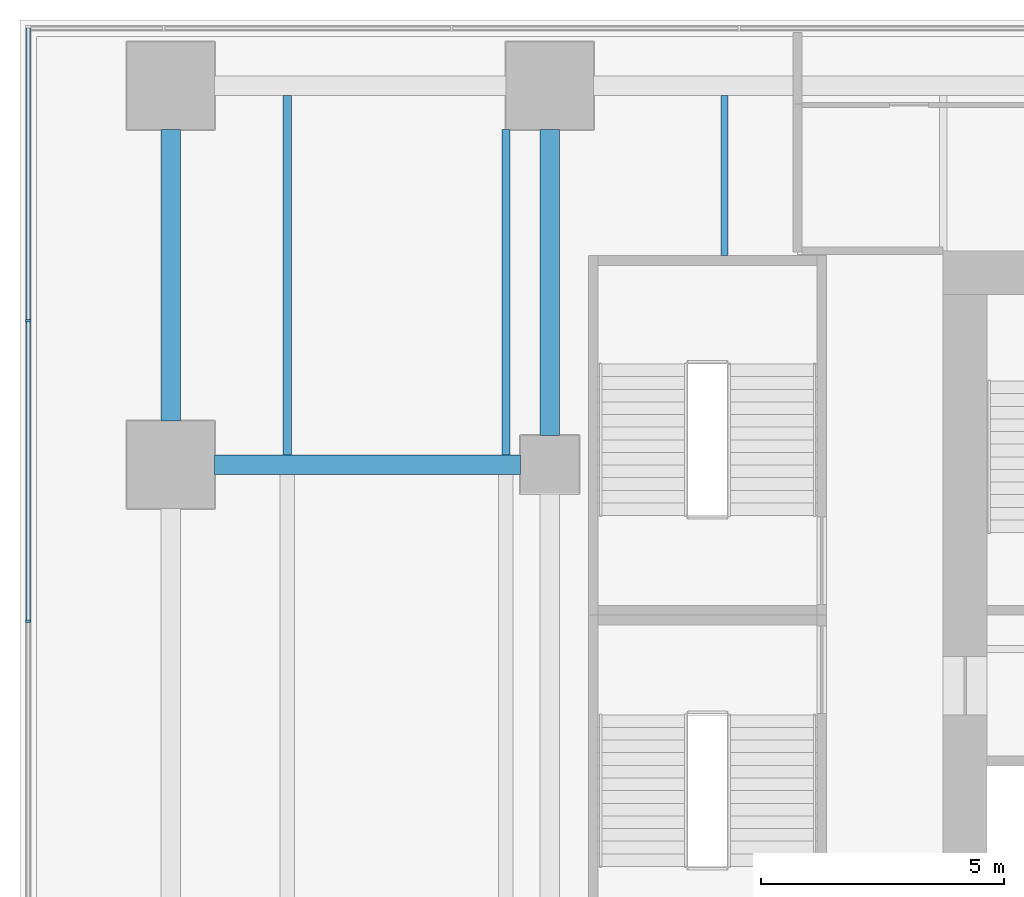
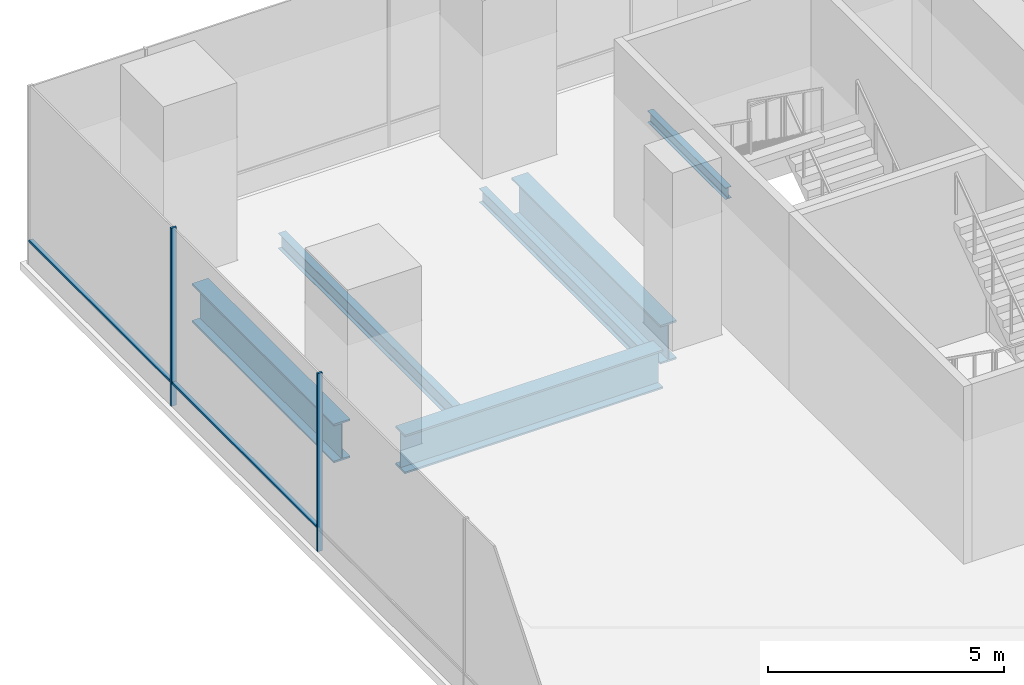
# One storey, part 9 of 28: 6 beams, 4 members, 1 element without a shape of its own.
"""IFC4 building model written with IfcOpenShell, lengths in metres."""

import ifcopenshell
import ifcopenshell.guid

model = None  # the IFC model being written
_history = None  # IfcOwnerHistory: only IFC2X3 demands one
_inside = {}  # id of a spatial element -> (the spatial element, [elements in it])
_under = {}  # id of a project, library or spatial element -> (it, [spatial elements below it])
_declared = {}  # id of a project -> (the project, [libraries it declares])
_typed = {}  # id of a type object -> (the type object, [elements of that type])
_made_of = {}  # id of a material, layer set ... -> (it, [elements and type objects made of it])


def new_model(schema):
    """Start an empty IFC model of exactly this schema.

    Asked for "IFC4X3", IfcOpenShell would pick the latest addendum, in which some entities
    have other attributes; the version numbers below select the first issue.
    IFC2X3 requires an IfcOwnerHistory on every rooted entity: one is made here for all.
    """
    global model, _history
    if schema == "IFC4X3":
        model = ifcopenshell.file(schema_version=(4, 3, 0, 0))
    else:
        model = ifcopenshell.file(schema=schema)
    _inside.clear()
    _under.clear()
    _declared.clear()
    _typed.clear()
    _made_of.clear()
    _history = None
    if model.schema == "IFC2X3":
        org = make("IfcOrganization", Name="unknown")
        user = make(
            "IfcPersonAndOrganization",
            ThePerson=make("IfcPerson", FamilyName="unknown"),
            TheOrganization=org,
        )
        app = make(
            "IfcApplication",
            ApplicationDeveloper=org,
            Version="unknown",
            ApplicationFullName="unknown",
            ApplicationIdentifier="unknown",
        )
        _history = make(
            "IfcOwnerHistory",
            OwningUser=user,
            OwningApplication=app,
            ChangeAction="ADDED",
            CreationDate=0,
        )
    return model


def make(cls, **values):
    """One entity of the class cls with the attributes given. An attribute that is None is left unset."""
    return model.create_entity(
        cls, **{name: value for name, value in values.items() if value is not None}
    )


def rooted(cls, **values):
    """An entity with a GlobalId (a new one), such as an element, a storey or a relation."""
    return make(cls, GlobalId=ifcopenshell.guid.new(), OwnerHistory=_history, **values)


def si_unit(unit_type, name, prefix=None):
    """IfcSIUnit, for example si_unit("LENGTHUNIT", "METRE", prefix="MILLI")."""
    return make("IfcSIUnit", UnitType=unit_type, Prefix=prefix, Name=name)


def assignment(units):
    """IfcUnitAssignment: the units of a project."""
    return None if units is None else make("IfcUnitAssignment", Units=units)


def point(xyz):
    """IfcCartesianPoint."""
    return None if xyz is None else make("IfcCartesianPoint", Coordinates=xyz)


def direction(xyz):
    """IfcDirection."""
    return None if xyz is None else make("IfcDirection", DirectionRatios=xyz)


def frame(location, z_axis=None, x_axis=None):
    """IfcAxis2Placement3D, a coordinate frame: its origin and axes. An axis left out is left unset."""
    return make(
        "IfcAxis2Placement3D",
        Location=point(location),
        Axis=direction(z_axis),
        RefDirection=direction(x_axis),
    )


def frame_2d(location, x_axis=None):
    """IfcAxis2Placement2D, a coordinate frame in the plane: its origin and x axis."""
    return make(
        "IfcAxis2Placement2D", Location=point(location), RefDirection=direction(x_axis)
    )


def origin():
    """The frame at (0, 0, 0) with its axes left unset."""
    return frame((0.0, 0.0, 0.0))


def origin_2d():
    """The frame at (0, 0) in the plane with its x axis left unset."""
    return frame_2d((0.0, 0.0))


def place(relative_to, where):
    """IfcLocalPlacement: puts the frame where relative to a parent placement (None: the world)."""
    return make(
        "IfcLocalPlacement", PlacementRelTo=relative_to, RelativePlacement=where
    )


def context(
    kind, dimensions, precision=None, world=None, true_north=None, identifier=None
):
    """IfcGeometricRepresentationContext, for example the 3D "Model" context."""
    return make(
        "IfcGeometricRepresentationContext",
        ContextIdentifier=identifier,
        ContextType=kind,
        CoordinateSpaceDimension=dimensions,
        Precision=precision,
        WorldCoordinateSystem=world,
        TrueNorth=true_north,
    )


def subcontext(parent, identifier, kind, view, scale=None):
    """IfcGeometricRepresentationSubContext, for example "Body" below "Model"."""
    return make(
        "IfcGeometricRepresentationSubContext",
        ContextIdentifier=identifier,
        ContextType=kind,
        ParentContext=parent,
        TargetScale=scale,
        TargetView=view,
    )


def project(units=None, contexts=None):
    """IfcProject with its units and contexts."""
    return rooted(
        "IfcProject",
        Name="project",
        RepresentationContexts=contexts,
        UnitsInContext=assignment(units),
    )


def spatial(cls, under=None, at=None, **own):
    """A site, building, storey or space (cls), placed at a placement, below another one or the project."""
    s = rooted(cls, ObjectPlacement=at, **own)
    if under is not None:
        _under.setdefault(under.id(), (under, []))[1].append(s)
    return s


def profile(cls, at=None, kind="AREA", **sizes):
    """A parametric profile (cls). Its sizes go by their IFC names, for example OverallWidth=200.0."""
    return make(cls, ProfileType=kind, Position=at, **sizes)


def rectangle(**sizes):
    """IfcRectangleProfileDef."""
    return profile("IfcRectangleProfileDef", **sizes)


def i_section(**sizes):
    """IfcIShapeProfileDef."""
    return profile("IfcIShapeProfileDef", **sizes)


def extrude(swept, where, along, depth):
    """IfcExtrudedAreaSolid: the profile swept, set in the frame where, extruded along a direction by depth."""
    return make(
        "IfcExtrudedAreaSolid",
        SweptArea=swept,
        Position=where,
        ExtrudedDirection=direction(along),
        Depth=depth,
    )


def shape(context_of_items, identifier, shape_type, items):
    """IfcShapeRepresentation: the items that make up one representation, for example the "Body"."""
    return make(
        "IfcShapeRepresentation",
        ContextOfItems=context_of_items,
        RepresentationIdentifier=identifier,
        RepresentationType=shape_type,
        Items=items,
    )


def material(Name=None, Category=None):
    """IfcMaterial."""
    return make("IfcMaterial", Name=Name, Category=Category)


def layer(
    of_material, thickness, ventilated=None, Name=None, Category=None, Priority=None
):
    """IfcMaterialLayer: one layer of a wall or slab, of a material (None: an air gap)."""
    return make(
        "IfcMaterialLayer",
        Material=of_material,
        LayerThickness=thickness,
        IsVentilated=ventilated,
        Name=Name,
        Category=Category,
        Priority=Priority,
    )


def layer_set(layers, Name=None):
    """IfcMaterialLayerSet."""
    return make("IfcMaterialLayerSet", MaterialLayers=layers, LayerSetName=Name)


def material_profile(
    of_material, cross_section, Name=None, Category=None, Priority=None
):
    """IfcMaterialProfile: a cross section and its material."""
    return make(
        "IfcMaterialProfile",
        Name=Name,
        Material=of_material,
        Profile=cross_section,
        Priority=Priority,
        Category=Category,
    )


def profile_set(profiles, Name=None, composite=None):
    """IfcMaterialProfileSet."""
    return make(
        "IfcMaterialProfileSet",
        Name=Name,
        MaterialProfiles=profiles,
        CompositeProfile=composite,
    )


def made_of(thing, what):
    """Note that an element or type object is made of a material, layer set ...; save() writes the relation."""
    if what is not None:
        _made_of.setdefault(what.id(), (what, []))[1].append(thing)
    return thing


def type_object(cls, material=None, **own):
    """A type object (cls), such as IfcWallType, which elements share."""
    return made_of(rooted(cls, **own), material)


def element(
    cls,
    number,
    at=None,
    inside=None,
    cuts=None,
    type_object=None,
    material=None,
    context=None,
    identifier="Body",
    shape_type=None,
    held_by="IfcProductDefinitionShape",
    body=None,
    shapes=None,
    **own,
):
    """One element of the class cls, such as IfcWall. Its Tag is "e" and its number.

    at: its placement. inside: the storey or other place that contains it. cuts: it is an
    opening in that element (IfcRelVoidsElement). A single representation is given by context,
    identifier, shape_type and body (its items); several are given by shapes. held_by: the class
    of the entity that holds the representations. save() writes the other relations.
    """
    e = rooted(cls, Tag="e%d" % number, ObjectPlacement=at, **own)
    if body is not None:
        shapes = [shape(context, identifier, shape_type, body)]
    if shapes is not None:
        e.Representation = make(held_by, Representations=shapes)
    if inside is not None:
        _inside.setdefault(inside.id(), (inside, []))[1].append(e)
    if cuts is not None:
        rooted(
            "IfcRelVoidsElement", RelatingBuildingElement=cuts, RelatedOpeningElement=e
        )
    if type_object is not None:
        _typed.setdefault(type_object.id(), (type_object, []))[1].append(e)
    return made_of(e, material)


def aggregate(whole, parts):
    """IfcRelAggregates: a whole, such as a stair, and the parts it consists of."""
    return rooted("IfcRelAggregates", RelatingObject=whole, RelatedObjects=parts)


def save(model, path):
    """Write the relations noted so far, then the file.

    IfcRelAggregates (storeys below a building ...), IfcRelContainedInSpatialStructure (elements
    in a storey), IfcRelDefinesByType, IfcRelAssociatesMaterial and IfcRelDeclares: one each for
    every whole, place, type object, material and project.
    """
    for whole, parts in _under.values():
        aggregate(whole, parts)
    for where, things in _inside.values():
        rooted(
            "IfcRelContainedInSpatialStructure",
            RelatedElements=things,
            RelatingStructure=where,
        )
    for kind, things in _typed.values():
        rooted("IfcRelDefinesByType", RelatedObjects=things, RelatingType=kind)
    for what, things in _made_of.values():
        rooted("IfcRelAssociatesMaterial", RelatedObjects=things, RelatingMaterial=what)
    for by, libraries in _declared.values():
        rooted("IfcRelDeclares", RelatingContext=by, RelatedDefinitions=libraries)
    model.write(path)


model = new_model("IFC4")

# Units and contexts
model_context = context("Model", 3, precision=1e-05, world=origin(), true_north=direction((0.0, 1.0)))
body_context = subcontext(model_context, "Body", "Model", "MODEL_VIEW")
ifc_project = project(units=[si_unit("LENGTHUNIT", "METRE"), si_unit("AREAUNIT", "SQUARE_METRE"), si_unit("VOLUMEUNIT", "CUBIC_METRE"), si_unit("PLANEANGLEUNIT", "RADIAN"), si_unit("MASSUNIT", "GRAM", prefix="KILO")], contexts=[model_context])

# Site, building, storey
site_placement = place(None, origin())
site = spatial("IfcSite", under=ifc_project, at=site_placement, CompositionType="ELEMENT")
building_placement = place(site_placement, origin())
building = spatial("IfcBuilding", under=site, at=building_placement, Name="Rattan Terrace Tower", CompositionType="ELEMENT")
storey_placement = place(building_placement, frame((0.0, 0.0, 22.199951171875)))
storey = spatial("IfcBuildingStorey", under=building, at=storey_placement, Name="L04", CompositionType="ELEMENT", Elevation=22.199951171875)

# Beams
ifc_material_1 = material(Name="Steel S355", Category="steel")
ifc_material_profile_1 = material_profile(ifc_material_1, i_section(OverallWidth=0.14990234375, OverallDepth=0.300048828125, WebThickness=0.007080078125, FlangeThickness=0.0107421875, FilletRadius=0.014892578125, at=origin_2d()), Name="IPE 300")
ifc_profile_set_1 = profile_set([ifc_material_profile_1], Name="Steel S355")
beam_type_1 = type_object("IfcBeamType", Name="Frame floor beam IPE 300", PredefinedType="JOIST", material=ifc_profile_set_1)
beam_1_placement = place(storey_placement, frame((-22.5, 7.39990234375, -0.349853515625), z_axis=(0.0, 1.0, 0.0), x_axis=(-1.0, 0.0, 0.0)))
element("IfcBeam", 1, at=beam_1_placement, inside=storey, type_object=beam_type_1, Name="bm-L04-043", PredefinedType="JOIST", context=body_context, shape_type="SweptSolid", body=[
    extrude(i_section(OverallWidth=0.14990234375, OverallDepth=0.300048828125, WebThickness=0.007080078125, FlangeThickness=0.0107421875, FilletRadius=0.014892578125, at=origin_2d()), origin(), (0.0, 0.0, 1.0), 3.300048828125),
])
ifc_material_2 = material(Name="Steel S355", Category="steel")
ifc_material_profile_2 = material_profile(ifc_material_2, i_section(OverallWidth=0.169921875, OverallDepth=0.360107421875, WebThickness=0.008056640625, FlangeThickness=0.0126953125, FilletRadius=0.01806640625, at=origin_2d()), Name="IPE 360")
ifc_profile_set_2 = profile_set([ifc_material_profile_2], Name="Steel S355")
beam_type_2 = type_object("IfcBeamType", Name="Frame floor beam IPE 360", PredefinedType="JOIST", material=ifc_profile_set_2)
beam_2_placement = place(storey_placement, frame((-27.0, 3.300048828125, -0.3798828125), z_axis=(0.0, 1.0, 0.0), x_axis=(-1.0, 0.0, 0.0)))
element("IfcBeam", 2, at=beam_2_placement, inside=storey, type_object=beam_type_2, Name="bm-L04-040", PredefinedType="JOIST", context=body_context, shape_type="SweptSolid", body=[
    extrude(i_section(OverallWidth=0.169921875, OverallDepth=0.360107421875, WebThickness=0.008056640625, FlangeThickness=0.0126953125, FilletRadius=0.01806640625, at=origin_2d()), origin(), (0.0, 0.0, 1.0), 6.699951171875),
])
ifc_material_3 = material(Name="Steel S355", Category="steel")
ifc_material_profile_3 = material_profile(ifc_material_3, i_section(OverallWidth=0.179931640625, OverallDepth=0.39990234375, WebThickness=0.008544921875, FlangeThickness=0.013427734375, FilletRadius=0.02099609375, at=origin_2d()), Name="IPE 400")
ifc_profile_set_3 = profile_set([ifc_material_profile_3], Name="Steel S355")
beam_type_3 = type_object("IfcBeamType", Name="Frame floor beam IPE 400", PredefinedType="JOIST", material=ifc_profile_set_3)
beam_3_placement = place(storey_placement, frame((-31.5, 3.300048828125, -0.39990234375), z_axis=(0.0, 1.0, 0.0), x_axis=(-1.0, 0.0, 0.0)))
element("IfcBeam", 3, at=beam_3_placement, inside=storey, type_object=beam_type_3, Name="bm-L04-039", PredefinedType="JOIST", context=body_context, shape_type="SweptSolid", body=[
    extrude(i_section(OverallWidth=0.179931640625, OverallDepth=0.39990234375, WebThickness=0.008544921875, FlangeThickness=0.013427734375, FilletRadius=0.02099609375, at=origin_2d()), origin(), (0.0, 0.0, 1.0), 7.39990234375),
])
ifc_material_4 = material(Name="Steel S460", Category="steel")
ifc_material_profile_4 = material_profile(ifc_material_4, i_section(OverallWidth=0.39990234375, OverallDepth=1.0, WebThickness=0.01806640625, FlangeThickness=0.044921875, at=origin_2d()), Name="PG 1000x400-18-45")
ifc_profile_set_4 = profile_set([ifc_material_profile_4], Name="Steel S460")
beam_type_4 = type_object("IfcBeamType", Name="Frame podium girder PG 1000x400-18-45", PredefinedType="USERDEFINED", material=ifc_profile_set_4)
for number, where, z_axis, x_axis, name in (
    (4, (-33.0, 3.10009765625, -0.699951171875), (1.0, 0.0, 0.0), (0.0, 1.0, 0.0), "gdr-L04-040"),
    (5, (-26.10009765625, 3.699951171875, -0.699951171875), (0.0, 1.0, 0.0), (-1.0, 0.0, 0.0), "gdr-L04-042"),
):
    element("IfcBeam", number, at=place(storey_placement, frame(where, z_axis=z_axis, x_axis=x_axis)), inside=storey, type_object=beam_type_4, Name=name, ObjectType="PODIUM GIRDER", PredefinedType="USERDEFINED", context=body_context, shape_type="SweptSolid", body=[
        extrude(i_section(OverallWidth=0.39990234375, OverallDepth=1.0, WebThickness=0.01806640625, FlangeThickness=0.044921875, at=origin_2d()), origin(), (0.0, 0.0, 1.0), 6.300048828125),
    ])
beam_4_placement = place(storey_placement, frame((-33.89990234375, 4.0, -0.699951171875), z_axis=(0.0, 1.0, 0.0), x_axis=(-1.0, 0.0, 0.0)))
element("IfcBeam", 6, at=beam_4_placement, inside=storey, type_object=beam_type_4, Name="gdr-L04-044", ObjectType="PODIUM GIRDER", PredefinedType="USERDEFINED", context=body_context, shape_type="SweptSolid", body=[
    extrude(i_section(OverallWidth=0.39990234375, OverallDepth=1.0, WebThickness=0.01806640625, FlangeThickness=0.044921875, at=origin_2d()), origin(), (0.0, 0.0, 1.0), 6.0),
])

# Curtain wall, members
ifc_material_5 = material(Name="Aluminium and glass", Category="aluminium")
ifc_layer = layer(ifc_material_5, 0.1201171875)
ifc_layer_set = layer_set([ifc_layer], Name="Station Storefront Curtain Wall")
curtain_wall_type = type_object("IfcCurtainWallType", Name="Station Storefront Curtain Wall", PredefinedType="NOTDEFINED", material=ifc_layer_set)
curtain_wall_placement = place(storey_placement, origin())
curtain_wall = element("IfcCurtainWall", 7, at=curtain_wall_placement, inside=storey, type_object=curtain_wall_type, Name="Storefront curtain wall L04-3", PredefinedType="NOTDEFINED")
ifc_material_6 = material(Name="Aluminium", Category="aluminium")
ifc_material_profile_5 = material_profile(ifc_material_6, rectangle(XDim=0.050048828125, YDim=0.1201171875, at=origin_2d()), Name="Aluminium 50x120")
ifc_profile_set_5 = profile_set([ifc_material_profile_5], Name="Aluminium")
member_type_1 = type_object("IfcMemberType", Name="Storefront CW Mullion 50x120", PredefinedType="MULLION", material=ifc_profile_set_5)
member_1_placement = place(storey_placement, frame((-36.830078125, 6.06201171875, 0.0), z_axis=(0.0, 0.0, 1.0), x_axis=(0.0, -1.0, 0.0)))
member_1 = element("IfcMember", 8, at=member_1_placement, type_object=member_type_1, Name="Mullion cwl-L04-003.2", PredefinedType="MULLION", context=body_context, shape_type="SweptSolid", body=[
    extrude(rectangle(XDim=0.050048828125, YDim=0.1201171875, at=origin_2d()), origin(), (0.0, 0.0, 1.0), 4.60009765625),
])
member_2_placement = place(storey_placement, frame((-36.830078125, -0.1259765625, 0.0), z_axis=(0.0, 0.0, 1.0), x_axis=(0.0, -1.0, 0.0)))
member_2 = element("IfcMember", 9, at=member_2_placement, type_object=member_type_1, Name="Mullion cwl-L04-003.3", PredefinedType="MULLION", context=body_context, shape_type="SweptSolid", body=[
    extrude(rectangle(XDim=0.050048828125, YDim=0.1201171875, at=origin_2d()), origin(), (0.0, 0.0, 1.0), 4.60009765625),
])
ifc_material_7 = material(Name="Aluminium", Category="aluminium")
ifc_material_profile_6 = material_profile(ifc_material_7, rectangle(XDim=0.10009765625, YDim=0.050048828125, at=origin_2d()), Name="Aluminium 100x50")
ifc_profile_set_6 = profile_set([ifc_material_profile_6], Name="Aluminium")
member_type_2 = type_object("IfcMemberType", Name="Storefront CW Transom 100x50", PredefinedType="USERDEFINED", material=ifc_profile_set_6)
member_3_placement = place(storey_placement, frame((-36.830078125, 12.090087890625, 0.60009765625), z_axis=(0.0, -1.0, 0.0), x_axis=(1.0, 0.0, 0.0)))
member_3 = element("IfcMember", 10, at=member_3_placement, type_object=member_type_2, Name="Transom cwl-L04-003.1", ObjectType="TRANSOM", PredefinedType="USERDEFINED", context=body_context, shape_type="SweptSolid", body=[
    extrude(rectangle(XDim=0.10009765625, YDim=0.050048828125, at=origin_2d()), origin(), (0.0, 0.0, 1.0), 6.003173828125),
])
member_4_placement = place(storey_placement, frame((-36.830078125, 6.037109375, 0.60009765625), z_axis=(0.0, -1.0, 0.0), x_axis=(1.0, 0.0, 0.0)))
member_4 = element("IfcMember", 11, at=member_4_placement, type_object=member_type_2, Name="Transom cwl-L04-003.2", ObjectType="TRANSOM", PredefinedType="USERDEFINED", context=body_context, shape_type="SweptSolid", body=[
    extrude(rectangle(XDim=0.10009765625, YDim=0.050048828125, at=origin_2d()), origin(), (0.0, 0.0, 1.0), 6.13818359375),
])
aggregate(curtain_wall, [member_1, member_2, member_3, member_4])

save(model, "model.ifc")
